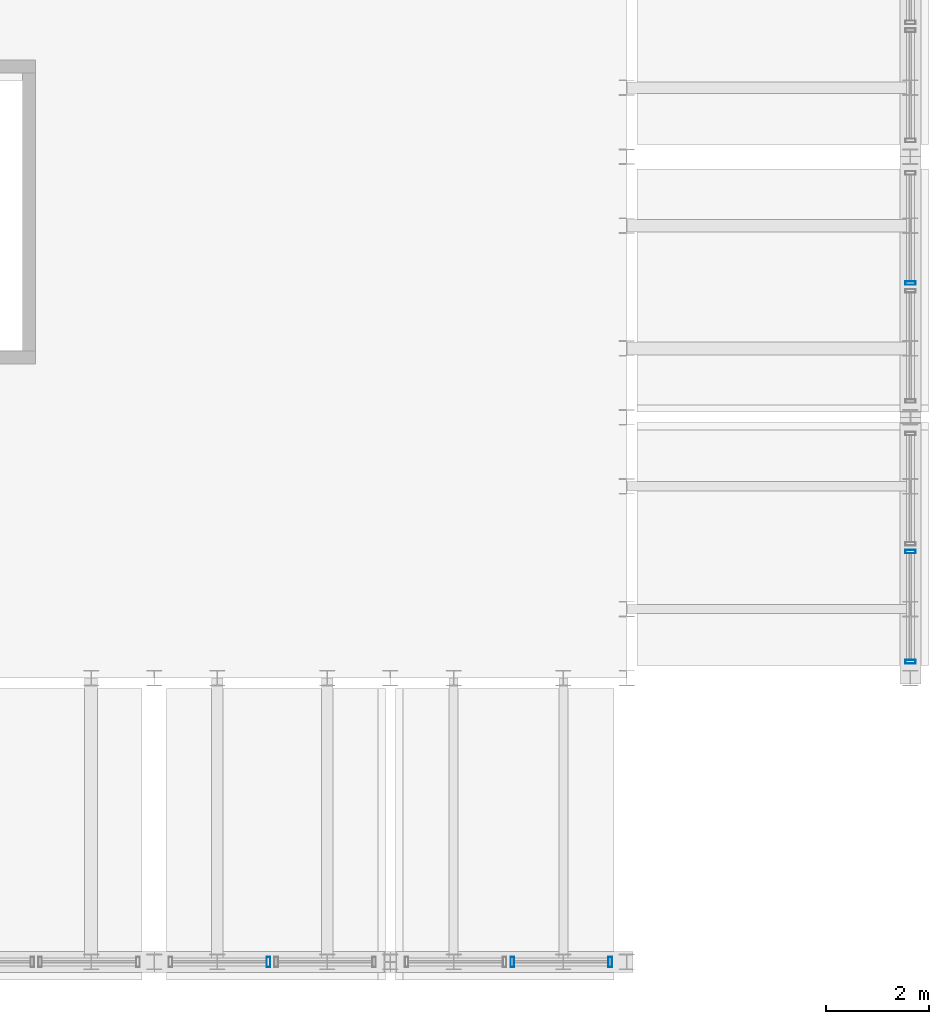
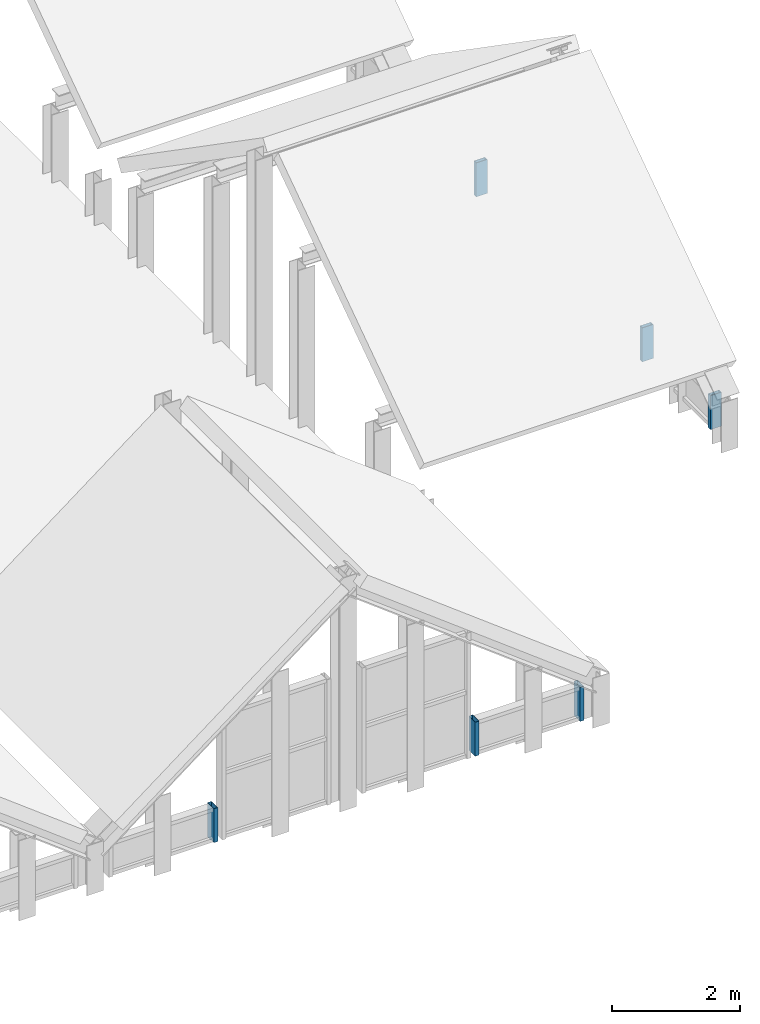
# One storey, part 14 of 21: 6 members, 4 elements without a shape of their own.
"""IFC4 building model written with IfcOpenShell, lengths in metres."""

from ifc_helpers import new_model, si_unit, direction, frame, origin, origin_2d, place, context, subcontext, project, spatial, hollow_rectangle, extrude, source, transform, mapped, material, layer, layer_set, material_profile, profile_set, type_object, element, aggregate, save


model = new_model("IFC4")

# Units and contexts
model_context = context("Model", 3, precision=1e-05, world=origin(), true_north=direction((0.0, 1.0)))
body_context = subcontext(model_context, "Body", "Model", "MODEL_VIEW")
ifc_project = project(units=[si_unit("LENGTHUNIT", "METRE"), si_unit("AREAUNIT", "SQUARE_METRE"), si_unit("VOLUMEUNIT", "CUBIC_METRE"), si_unit("PLANEANGLEUNIT", "RADIAN"), si_unit("MASSUNIT", "GRAM", prefix="KILO")], contexts=[model_context])

# Site, building, storey
site_placement = place(None, origin())
site = spatial("IfcSite", under=ifc_project, at=site_placement, CompositionType="ELEMENT")
building_placement = place(site_placement, origin())
building = spatial("IfcBuilding", under=site, at=building_placement, Name="Saelheon Loggia Tower", CompositionType="ELEMENT")
storey_placement = place(building_placement, frame((0.0, 0.0, 275.0)))
storey = spatial("IfcBuildingStorey", under=building, at=storey_placement, Name="ROOF", CompositionType="ELEMENT", Elevation=275.0)

# Curtain wall, members
ifc_material_1 = material(Name="Bronze-Anodised Aluminium and Fritted Ceramic Screen", Category="aluminium")
ifc_layer = layer(ifc_material_1, 0.219970703125)
ifc_layer_set = layer_set([ifc_layer], Name="Bronze-Anodised Aluminium and Fritted Ceramic Screen")
curtain_wall_type = type_object("IfcCurtainWallType", Name="CW_CrownScreen", PredefinedType="NOTDEFINED", material=ifc_layer_set)
curtain_wall_1_placement = place(storey_placement, origin())
curtain_wall_1 = element("IfcCurtainWall", 1, at=curtain_wall_1_placement, inside=storey, type_object=curtain_wall_type, Name="ROOF Wave Crest Curtain Wall E 01-1", PredefinedType="NOTDEFINED")
ifc_material_2 = material(Name="Bronze-Anodised Aluminium 6063-T6", Category="aluminium")
ifc_material_profile = material_profile(ifc_material_2, hollow_rectangle(XDim=0.070068359375, YDim=0.199951171875, WallThickness=0.0048828125, at=origin_2d()), Name="RHS-200x70x5")
ifc_profile_set = profile_set([ifc_material_profile], Name="Bronze-Anodised Aluminium 6063-T6")
member_type = type_object("IfcMemberType", Name="CW_CrownScreen_Mullion", PredefinedType="MULLION", material=ifc_profile_set)
shared_shape = source(origin(), body_context, "Body", "SweptSolid", [
    extrude(hollow_rectangle(XDim=0.070068359375, YDim=0.199951171875, WallThickness=0.0048828125, at=origin_2d()), origin(), (0.0, 0.0, 1.0), 0.64990234375),
])
member_1_placement = place(storey_placement, frame((52.64990234375, 12.1650390625, 0.02001953125), z_axis=(0.0, 0.0, 1.0), x_axis=(0.0, 1.0, 0.0)))
member_1 = element("IfcMember", 2, at=member_1_placement, type_object=member_type, Name="CW6 mullion 1", PredefinedType="MULLION", context=body_context, shape_type="MappedRepresentation", body=[
    mapped(shared_shape, transform((0.0, 0.0, 0.0), scale=1.0)),
])
member_2_placement = place(storey_placement, frame((52.64990234375, 14.300048828125, 0.02001953125), z_axis=(0.0, 0.0, 1.0), x_axis=(0.0, 1.0, 0.0)))
member_2 = element("IfcMember", 3, at=member_2_placement, type_object=member_type, Name="CW6 mullion 2", PredefinedType="MULLION", context=body_context, shape_type="MappedRepresentation", body=[
    mapped(shared_shape, transform((0.0, 0.0, 0.0), scale=1.0)),
])
aggregate(curtain_wall_1, [member_1, member_2])

# Curtain wall, member
curtain_wall_2_placement = place(storey_placement, origin())
curtain_wall_2 = element("IfcCurtainWall", 4, at=curtain_wall_2_placement, inside=storey, type_object=curtain_wall_type, Name="ROOF Wave Crest Curtain Wall E 02-2", PredefinedType="NOTDEFINED")
member_3_placement = place(storey_placement, frame((52.64990234375, 19.5, 0.02001953125), z_axis=(0.0, 0.0, 1.0), x_axis=(0.0, 1.0, 0.0)))
member_3 = element("IfcMember", 5, at=member_3_placement, type_object=member_type, Name="CW6 mullion 1", PredefinedType="MULLION", context=body_context, shape_type="MappedRepresentation", body=[
    mapped(shared_shape, transform((0.0, 0.0, 0.0), scale=1.0)),
])
aggregate(curtain_wall_2, [member_3])

curtain_wall_3_placement = place(storey_placement, origin())
curtain_wall_3 = element("IfcCurtainWall", 6, at=curtain_wall_3_placement, inside=storey, type_object=curtain_wall_type, Name="ROOF Wave Crest Curtain Wall S 03-1", PredefinedType="NOTDEFINED")
member_4_placement = place(storey_placement, frame((40.21240234375, 6.35009765625, 0.02001953125), z_axis=(0.0, 0.0, 1.0), x_axis=(1.0, 0.0, 0.0)))
member_4 = element("IfcMember", 7, at=member_4_placement, type_object=member_type, Name="CW6 mullion 2", PredefinedType="MULLION", context=body_context, shape_type="MappedRepresentation", body=[
    mapped(shared_shape, transform((0.0, 0.0, 0.0), scale=1.0)),
])
aggregate(curtain_wall_3, [member_4])

# Curtain wall, members
curtain_wall_4_placement = place(storey_placement, origin())
curtain_wall_4 = element("IfcCurtainWall", 8, at=curtain_wall_4_placement, inside=storey, type_object=curtain_wall_type, Name="ROOF Wave Crest Curtain Wall S 04-2", PredefinedType="NOTDEFINED")
member_5_placement = place(storey_placement, frame((44.9375, 6.35009765625, 0.02001953125), z_axis=(0.0, 0.0, 1.0), x_axis=(1.0, 0.0, 0.0)))
member_5 = element("IfcMember", 9, at=member_5_placement, type_object=member_type, Name="CW6 mullion 1", PredefinedType="MULLION", context=body_context, shape_type="MappedRepresentation", body=[
    mapped(shared_shape, transform((0.0, 0.0, 0.0), scale=1.0)),
])
member_6_placement = place(storey_placement, frame((46.8349609375, 6.35009765625, 0.02001953125), z_axis=(0.0, 0.0, 1.0), x_axis=(1.0, 0.0, 0.0)))
member_6 = element("IfcMember", 10, at=member_6_placement, type_object=member_type, Name="CW6 mullion 2", PredefinedType="MULLION", context=body_context, shape_type="MappedRepresentation", body=[
    mapped(shared_shape, transform((0.0, 0.0, 0.0), scale=1.0)),
])
aggregate(curtain_wall_4, [member_5, member_6])

save(model, "model.ifc")
